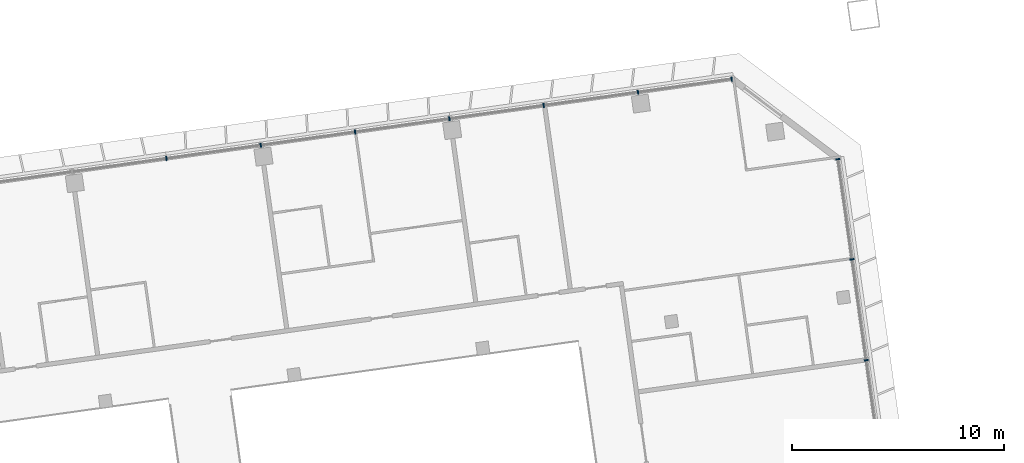
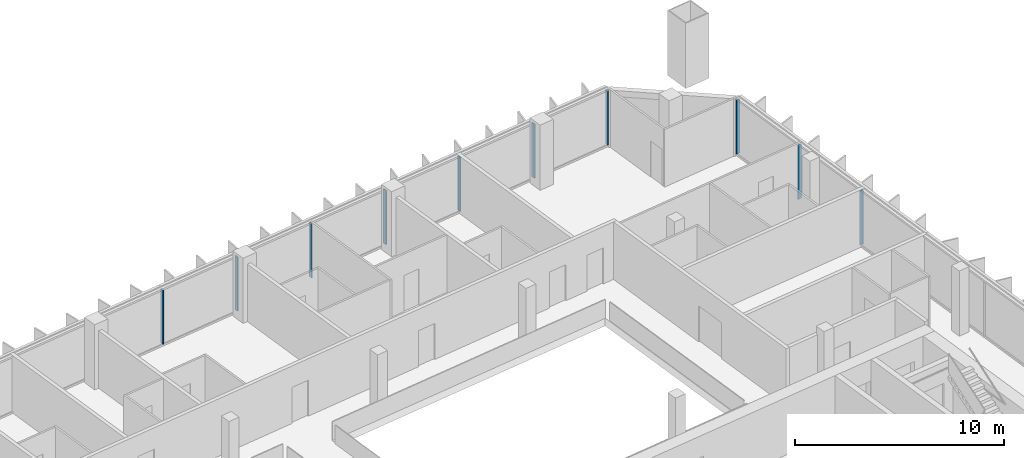
# One storey, part 13 of 26: 10 members, 2 elements without a shape of their own.
"""IFC4 building model written with IfcOpenShell, lengths in metres."""

from ifc_helpers import new_model, si_unit, direction, frame, origin, origin_2d, place, context, subcontext, project, spatial, rectangle, extrude, material, material_profile, profile_set, type_object, element, aggregate, save


model = new_model("IFC4")

# Units and contexts
model_context = context("Model", 3, precision=1e-05, world=origin(), true_north=direction((0.0, 1.0)))
body_context = subcontext(model_context, "Body", "Model", "MODEL_VIEW")
ifc_project = project(units=[si_unit("LENGTHUNIT", "METRE"), si_unit("AREAUNIT", "SQUARE_METRE"), si_unit("VOLUMEUNIT", "CUBIC_METRE"), si_unit("PLANEANGLEUNIT", "RADIAN"), si_unit("MASSUNIT", "GRAM", prefix="KILO")], contexts=[model_context])

# Site, building, storey
site_placement = place(None, origin())
site = spatial("IfcSite", under=ifc_project, at=site_placement, CompositionType="ELEMENT")
building_placement = place(site_placement, origin())
building = spatial("IfcBuilding", under=site, at=building_placement, Name="Mirante Cascada Hotel Towers", CompositionType="ELEMENT")
storey_placement = place(building_placement, frame((0.0, 0.0, 161.2)))
storey = spatial("IfcBuildingStorey", under=building, at=storey_placement, Name="L37", CompositionType="ELEMENT", Elevation=161.2)

# Curtain wall, members
ifc_material_1 = material(Name="Aluminium mullion and transom frame with clear laminated glass", Category="aluminium")
curtain_wall_type_1 = type_object("IfcCurtainWallType", Name="Ribbon curtain wall ECW1", PredefinedType="NOTDEFINED", material=ifc_material_1)
curtain_wall_1_placement = place(storey_placement, origin())
curtain_wall_1 = element("IfcCurtainWall", 1, at=curtain_wall_1_placement, inside=storey, type_object=curtain_wall_type_1, Name="Front ribbon wall T2 L37", PredefinedType="NOTDEFINED")
ifc_material_2 = material(Name="Anodised aluminium extrusion", Category="aluminium")
ifc_material_profile_1 = material_profile(ifc_material_2, rectangle(XDim=0.2, YDim=0.065, at=origin_2d()), Name="ECW1 MULLION 65x200")
ifc_profile_set_1 = profile_set([ifc_material_profile_1], Name="Anodised aluminium extrusion")
member_type_1 = type_object("IfcMemberType", Name="ECW1 mullion 65x200", PredefinedType="MULLION", material=ifc_profile_set_1)
member_1_placement = place(storey_placement, frame((85.2136, 24.795, 0.1), z_axis=(0.0, 0.0, 1.0), x_axis=(0.1391731, -0.9902681, 0.0)))
member_1 = element("IfcMember", 2, at=member_1_placement, type_object=member_type_1, Name="ECW1 mullion 1", PredefinedType="MULLION", context=body_context, shape_type="SweptSolid", body=[
    extrude(rectangle(XDim=0.2, YDim=0.065, at=origin_2d()), origin(), (0.0, 0.0, 1.0), 3.15),
])
member_2_placement = place(storey_placement, frame((80.7914, 24.1735, 0.1), z_axis=(0.0, 0.0, 1.0), x_axis=(0.1391731, -0.9902681, 0.0)))
member_2 = element("IfcMember", 3, at=member_2_placement, type_object=member_type_1, Name="ECW1 mullion 2", PredefinedType="MULLION", context=body_context, shape_type="SweptSolid", body=[
    extrude(rectangle(XDim=0.2, YDim=0.065, at=origin_2d()), origin(), (0.0, 0.0, 1.0), 3.15),
])
member_3_placement = place(storey_placement, frame((76.337, 23.5475, 0.1), z_axis=(0.0, 0.0, 1.0), x_axis=(0.1391731, -0.9902681, 0.0)))
member_3 = element("IfcMember", 4, at=member_3_placement, type_object=member_type_1, Name="ECW1 mullion 3", PredefinedType="MULLION", context=body_context, shape_type="SweptSolid", body=[
    extrude(rectangle(XDim=0.2, YDim=0.065, at=origin_2d()), origin(), (0.0, 0.0, 1.0), 3.15),
])
member_4_placement = place(storey_placement, frame((71.8826, 22.9215, 0.1), z_axis=(0.0, 0.0, 1.0), x_axis=(0.1391731, -0.9902681, 0.0)))
member_4 = element("IfcMember", 5, at=member_4_placement, type_object=member_type_1, Name="ECW1 mullion 4", PredefinedType="MULLION", context=body_context, shape_type="SweptSolid", body=[
    extrude(rectangle(XDim=0.2, YDim=0.065, at=origin_2d()), origin(), (0.0, 0.0, 1.0), 3.15),
])
member_5_placement = place(storey_placement, frame((67.4282, 22.2954, 0.1), z_axis=(0.0, 0.0, 1.0), x_axis=(0.1391731, -0.9902681, 0.0)))
member_5 = element("IfcMember", 6, at=member_5_placement, type_object=member_type_1, Name="ECW1 mullion 5", PredefinedType="MULLION", context=body_context, shape_type="SweptSolid", body=[
    extrude(rectangle(XDim=0.2, YDim=0.065, at=origin_2d()), origin(), (0.0, 0.0, 1.0), 3.15),
])
member_6_placement = place(storey_placement, frame((62.9738, 21.6694, 0.1), z_axis=(0.0, 0.0, 1.0), x_axis=(0.1391731, -0.9902681, 0.0)))
member_6 = element("IfcMember", 7, at=member_6_placement, type_object=member_type_1, Name="ECW1 mullion 6", PredefinedType="MULLION", context=body_context, shape_type="SweptSolid", body=[
    extrude(rectangle(XDim=0.2, YDim=0.065, at=origin_2d()), origin(), (0.0, 0.0, 1.0), 3.15),
])
member_7_placement = place(storey_placement, frame((58.5194, 21.0434, 0.1), z_axis=(0.0, 0.0, 1.0), x_axis=(0.1391731, -0.9902681, 0.0)))
member_7 = element("IfcMember", 8, at=member_7_placement, type_object=member_type_1, Name="ECW1 mullion 7", PredefinedType="MULLION", context=body_context, shape_type="SweptSolid", body=[
    extrude(rectangle(XDim=0.2, YDim=0.065, at=origin_2d()), origin(), (0.0, 0.0, 1.0), 3.15),
])
aggregate(curtain_wall_1, [member_1, member_2, member_3, member_4, member_5, member_6, member_7])

ifc_material_3 = material(Name="Aluminium mullion and transom frame with clear laminated glass", Category="aluminium")
curtain_wall_type_2 = type_object("IfcCurtainWallType", Name="End ribbon curtain wall ECW2", PredefinedType="NOTDEFINED", material=ifc_material_3)
curtain_wall_2_placement = place(storey_placement, origin())
curtain_wall_2 = element("IfcCurtainWall", 9, at=curtain_wall_2_placement, inside=storey, type_object=curtain_wall_type_2, Name="Outer end wall T2 L37", PredefinedType="NOTDEFINED")
ifc_material_4 = material(Name="Anodised aluminium extrusion", Category="aluminium")
ifc_material_profile_2 = material_profile(ifc_material_4, rectangle(XDim=0.2, YDim=0.065, at=origin_2d()), Name="ECW2 MULLION 65x200")
ifc_profile_set_2 = profile_set([ifc_material_profile_2], Name="Anodised aluminium extrusion")
member_type_2 = type_object("IfcMemberType", Name="ECW2 mullion 65x200", PredefinedType="MULLION", material=ifc_profile_set_2)
member_8_placement = place(storey_placement, frame((91.5686, 11.5128, 0.1), z_axis=(0.0, 0.0, 1.0), x_axis=(-0.9902681, -0.1391731, 0.0)))
member_8 = element("IfcMember", 10, at=member_8_placement, type_object=member_type_2, Name="ECW2 mullion 5", PredefinedType="MULLION", context=body_context, shape_type="SweptSolid", body=[
    extrude(rectangle(XDim=0.2, YDim=0.065, at=origin_2d()), origin(), (0.0, 0.0, 1.0), 3.15),
])
member_9_placement = place(storey_placement, frame((90.8988, 16.2786, 0.1), z_axis=(0.0, 0.0, 1.0), x_axis=(-0.9902681, -0.1391731, 0.0)))
member_9 = element("IfcMember", 11, at=member_9_placement, type_object=member_type_2, Name="ECW2 mullion 6", PredefinedType="MULLION", context=body_context, shape_type="SweptSolid", body=[
    extrude(rectangle(XDim=0.2, YDim=0.065, at=origin_2d()), origin(), (0.0, 0.0, 1.0), 3.15),
])
member_10_placement = place(storey_placement, frame((90.2335, 21.0122, 0.1), z_axis=(0.0, 0.0, 1.0), x_axis=(-0.9902681, -0.1391731, 0.0)))
member_10 = element("IfcMember", 12, at=member_10_placement, type_object=member_type_2, Name="ECW2 mullion 7", PredefinedType="MULLION", context=body_context, shape_type="SweptSolid", body=[
    extrude(rectangle(XDim=0.2, YDim=0.065, at=origin_2d()), origin(), (0.0, 0.0, 1.0), 3.15),
])
aggregate(curtain_wall_2, [member_8, member_9, member_10])

save(model, "model.ifc")
